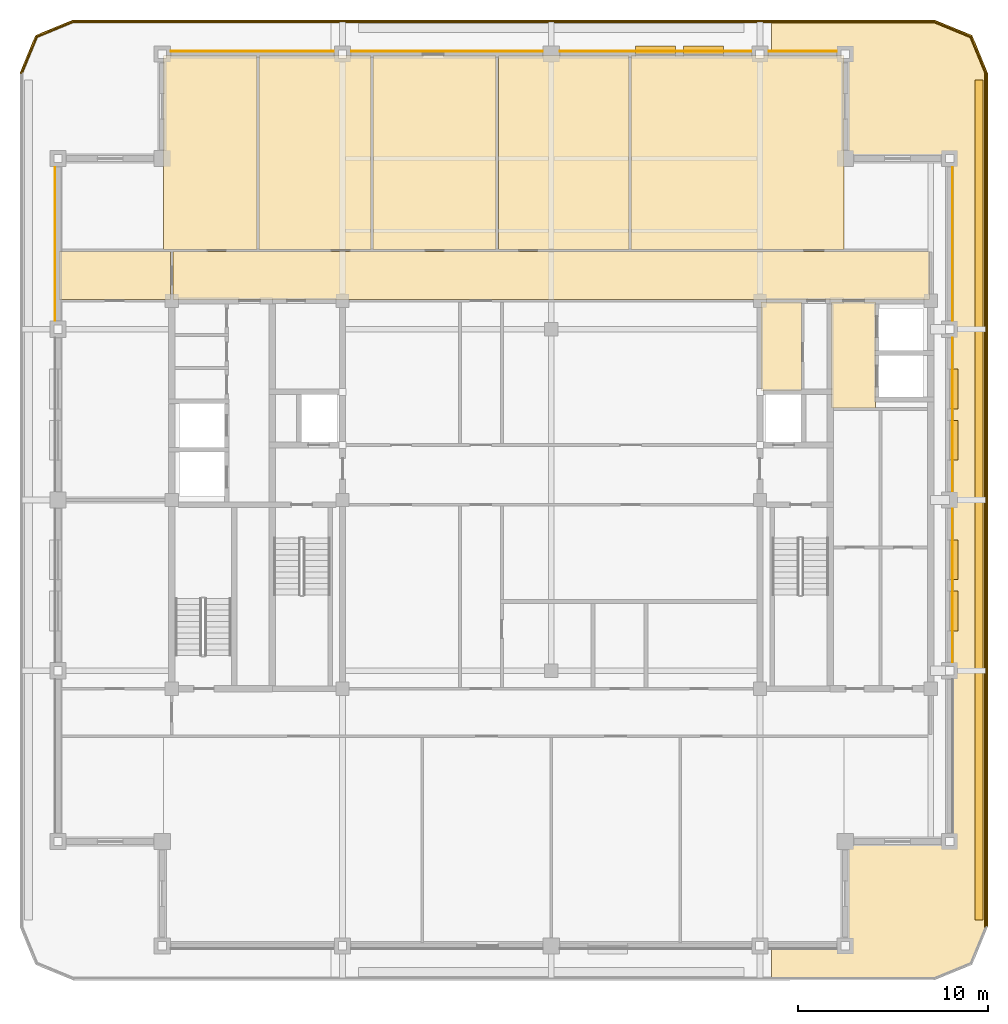
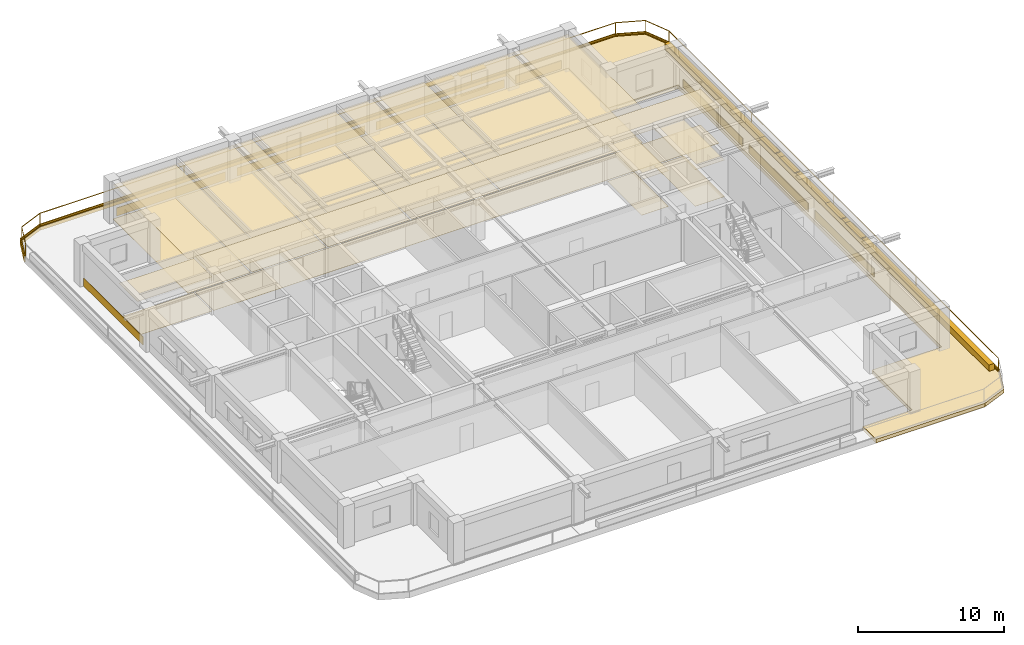
# One storey, part 11 of 11: 34 coverings, 6 shading devices, 2 railings.
"""IFC4 building model written with IfcOpenShell, lengths in metres."""

import ifcopenshell
import ifcopenshell.guid

model = None  # the IFC model being written
_history = None  # IfcOwnerHistory: only IFC2X3 demands one
_inside = {}  # id of a spatial element -> (the spatial element, [elements in it])
_under = {}  # id of a project, library or spatial element -> (it, [spatial elements below it])
_declared = {}  # id of a project -> (the project, [libraries it declares])
_typed = {}  # id of a type object -> (the type object, [elements of that type])
_made_of = {}  # id of a material, layer set ... -> (it, [elements and type objects made of it])


def new_model(schema):
    """Start an empty IFC model of exactly this schema.

    Asked for "IFC4X3", IfcOpenShell would pick the latest addendum, in which some entities
    have other attributes; the version numbers below select the first issue.
    IFC2X3 requires an IfcOwnerHistory on every rooted entity: one is made here for all.
    """
    global model, _history
    if schema == "IFC4X3":
        model = ifcopenshell.file(schema_version=(4, 3, 0, 0))
    else:
        model = ifcopenshell.file(schema=schema)
    _inside.clear()
    _under.clear()
    _declared.clear()
    _typed.clear()
    _made_of.clear()
    _history = None
    if model.schema == "IFC2X3":
        org = make("IfcOrganization", Name="unknown")
        user = make(
            "IfcPersonAndOrganization",
            ThePerson=make("IfcPerson", FamilyName="unknown"),
            TheOrganization=org,
        )
        app = make(
            "IfcApplication",
            ApplicationDeveloper=org,
            Version="unknown",
            ApplicationFullName="unknown",
            ApplicationIdentifier="unknown",
        )
        _history = make(
            "IfcOwnerHistory",
            OwningUser=user,
            OwningApplication=app,
            ChangeAction="ADDED",
            CreationDate=0,
        )
    return model


def make(cls, **values):
    """One entity of the class cls with the attributes given. An attribute that is None is left unset."""
    return model.create_entity(
        cls, **{name: value for name, value in values.items() if value is not None}
    )


def rooted(cls, **values):
    """An entity with a GlobalId (a new one), such as an element, a storey or a relation."""
    return make(cls, GlobalId=ifcopenshell.guid.new(), OwnerHistory=_history, **values)


def si_unit(unit_type, name, prefix=None):
    """IfcSIUnit, for example si_unit("LENGTHUNIT", "METRE", prefix="MILLI")."""
    return make("IfcSIUnit", UnitType=unit_type, Prefix=prefix, Name=name)


def assignment(units):
    """IfcUnitAssignment: the units of a project."""
    return None if units is None else make("IfcUnitAssignment", Units=units)


def point(xyz):
    """IfcCartesianPoint."""
    return None if xyz is None else make("IfcCartesianPoint", Coordinates=xyz)


def direction(xyz):
    """IfcDirection."""
    return None if xyz is None else make("IfcDirection", DirectionRatios=xyz)


def frame(location, z_axis=None, x_axis=None):
    """IfcAxis2Placement3D, a coordinate frame: its origin and axes. An axis left out is left unset."""
    return make(
        "IfcAxis2Placement3D",
        Location=point(location),
        Axis=direction(z_axis),
        RefDirection=direction(x_axis),
    )


def frame_2d(location, x_axis=None):
    """IfcAxis2Placement2D, a coordinate frame in the plane: its origin and x axis."""
    return make(
        "IfcAxis2Placement2D", Location=point(location), RefDirection=direction(x_axis)
    )


def origin():
    """The frame at (0, 0, 0) with its axes left unset."""
    return frame((0.0, 0.0, 0.0))


def origin_2d():
    """The frame at (0, 0) in the plane with its x axis left unset."""
    return frame_2d((0.0, 0.0))


def place(relative_to, where):
    """IfcLocalPlacement: puts the frame where relative to a parent placement (None: the world)."""
    return make(
        "IfcLocalPlacement", PlacementRelTo=relative_to, RelativePlacement=where
    )


def context(
    kind, dimensions, precision=None, world=None, true_north=None, identifier=None
):
    """IfcGeometricRepresentationContext, for example the 3D "Model" context."""
    return make(
        "IfcGeometricRepresentationContext",
        ContextIdentifier=identifier,
        ContextType=kind,
        CoordinateSpaceDimension=dimensions,
        Precision=precision,
        WorldCoordinateSystem=world,
        TrueNorth=true_north,
    )


def subcontext(parent, identifier, kind, view, scale=None):
    """IfcGeometricRepresentationSubContext, for example "Body" below "Model"."""
    return make(
        "IfcGeometricRepresentationSubContext",
        ContextIdentifier=identifier,
        ContextType=kind,
        ParentContext=parent,
        TargetScale=scale,
        TargetView=view,
    )


def project(units=None, contexts=None):
    """IfcProject with its units and contexts."""
    return rooted(
        "IfcProject",
        Name="project",
        RepresentationContexts=contexts,
        UnitsInContext=assignment(units),
    )


def spatial(cls, under=None, at=None, **own):
    """A site, building, storey or space (cls), placed at a placement, below another one or the project."""
    s = rooted(cls, ObjectPlacement=at, **own)
    if under is not None:
        _under.setdefault(under.id(), (under, []))[1].append(s)
    return s


def polyline(points):
    """IfcPolyline through the points."""
    return make("IfcPolyline", Points=[point(p) for p in points])


def profile(cls, at=None, kind="AREA", **sizes):
    """A parametric profile (cls). Its sizes go by their IFC names, for example OverallWidth=200.0."""
    return make(cls, ProfileType=kind, Position=at, **sizes)


def rectangle(**sizes):
    """IfcRectangleProfileDef."""
    return profile("IfcRectangleProfileDef", **sizes)


def outline(outer, holes=None, kind="AREA"):
    """IfcArbitraryClosedProfileDef: a profile drawn as a closed curve; with holes, ...WithVoids."""
    if holes is None:
        return make("IfcArbitraryClosedProfileDef", ProfileType=kind, OuterCurve=outer)
    return make(
        "IfcArbitraryProfileDefWithVoids",
        ProfileType=kind,
        OuterCurve=outer,
        InnerCurves=holes,
    )


def extrude(swept, where, along, depth):
    """IfcExtrudedAreaSolid: the profile swept, set in the frame where, extruded along a direction by depth."""
    return make(
        "IfcExtrudedAreaSolid",
        SweptArea=swept,
        Position=where,
        ExtrudedDirection=direction(along),
        Depth=depth,
    )


def shape(context_of_items, identifier, shape_type, items):
    """IfcShapeRepresentation: the items that make up one representation, for example the "Body"."""
    return make(
        "IfcShapeRepresentation",
        ContextOfItems=context_of_items,
        RepresentationIdentifier=identifier,
        RepresentationType=shape_type,
        Items=items,
    )


def material(Name=None, Category=None):
    """IfcMaterial."""
    return make("IfcMaterial", Name=Name, Category=Category)


def layer(
    of_material, thickness, ventilated=None, Name=None, Category=None, Priority=None
):
    """IfcMaterialLayer: one layer of a wall or slab, of a material (None: an air gap)."""
    return make(
        "IfcMaterialLayer",
        Material=of_material,
        LayerThickness=thickness,
        IsVentilated=ventilated,
        Name=Name,
        Category=Category,
        Priority=Priority,
    )


def layer_set(layers, Name=None):
    """IfcMaterialLayerSet."""
    return make("IfcMaterialLayerSet", MaterialLayers=layers, LayerSetName=Name)


def made_of(thing, what):
    """Note that an element or type object is made of a material, layer set ...; save() writes the relation."""
    if what is not None:
        _made_of.setdefault(what.id(), (what, []))[1].append(thing)
    return thing


def type_object(cls, material=None, **own):
    """A type object (cls), such as IfcWallType, which elements share."""
    return made_of(rooted(cls, **own), material)


def element(
    cls,
    number,
    at=None,
    inside=None,
    cuts=None,
    type_object=None,
    material=None,
    context=None,
    identifier="Body",
    shape_type=None,
    held_by="IfcProductDefinitionShape",
    body=None,
    shapes=None,
    **own,
):
    """One element of the class cls, such as IfcWall. Its Tag is "e" and its number.

    at: its placement. inside: the storey or other place that contains it. cuts: it is an
    opening in that element (IfcRelVoidsElement). A single representation is given by context,
    identifier, shape_type and body (its items); several are given by shapes. held_by: the class
    of the entity that holds the representations. save() writes the other relations.
    """
    e = rooted(cls, Tag="e%d" % number, ObjectPlacement=at, **own)
    if body is not None:
        shapes = [shape(context, identifier, shape_type, body)]
    if shapes is not None:
        e.Representation = make(held_by, Representations=shapes)
    if inside is not None:
        _inside.setdefault(inside.id(), (inside, []))[1].append(e)
    if cuts is not None:
        rooted(
            "IfcRelVoidsElement", RelatingBuildingElement=cuts, RelatedOpeningElement=e
        )
    if type_object is not None:
        _typed.setdefault(type_object.id(), (type_object, []))[1].append(e)
    return made_of(e, material)


def aggregate(whole, parts):
    """IfcRelAggregates: a whole, such as a stair, and the parts it consists of."""
    return rooted("IfcRelAggregates", RelatingObject=whole, RelatedObjects=parts)


def save(model, path):
    """Write the relations noted so far, then the file.

    IfcRelAggregates (storeys below a building ...), IfcRelContainedInSpatialStructure (elements
    in a storey), IfcRelDefinesByType, IfcRelAssociatesMaterial and IfcRelDeclares: one each for
    every whole, place, type object, material and project.
    """
    for whole, parts in _under.values():
        aggregate(whole, parts)
    for where, things in _inside.values():
        rooted(
            "IfcRelContainedInSpatialStructure",
            RelatedElements=things,
            RelatingStructure=where,
        )
    for kind, things in _typed.values():
        rooted("IfcRelDefinesByType", RelatedObjects=things, RelatingType=kind)
    for what, things in _made_of.values():
        rooted("IfcRelAssociatesMaterial", RelatedObjects=things, RelatingMaterial=what)
    for by, libraries in _declared.values():
        rooted("IfcRelDeclares", RelatingContext=by, RelatedDefinitions=libraries)
    model.write(path)


model = new_model("IFC4")

# Units and contexts
model_context = context("Model", 3, precision=1e-05, world=origin(), true_north=direction((0.0, 1.0)))
body_context = subcontext(model_context, "Body", "Model", "MODEL_VIEW")
ifc_project = project(units=[si_unit("LENGTHUNIT", "METRE"), si_unit("AREAUNIT", "SQUARE_METRE"), si_unit("VOLUMEUNIT", "CUBIC_METRE"), si_unit("PLANEANGLEUNIT", "RADIAN"), si_unit("MASSUNIT", "GRAM", prefix="KILO")], contexts=[model_context])

# Site, building, storey
site_placement = place(None, origin())
site = spatial("IfcSite", under=ifc_project, at=site_placement, CompositionType="ELEMENT")
building_placement = place(site_placement, origin())
building = spatial("IfcBuilding", under=site, at=building_placement, Name="Zulmaris Gate Convention Tower", CompositionType="ELEMENT")
storey_placement = place(building_placement, frame((0.0, 0.0, 270.580078125)))
storey = spatial("IfcBuildingStorey", under=building, at=storey_placement, Name="L72", CompositionType="ELEMENT", Elevation=270.580078125)

# Coverings
ifc_material_1 = material(Name="Precast concrete C40/50", Category="concrete")
ifc_layer_1 = layer(ifc_material_1, 0.0400390625, Name="Precast concrete C40/50")
ifc_layer_set_1 = layer_set([ifc_layer_1], Name="Precast concrete C40/50")
covering_type_1 = type_object("IfcCoveringType", Name="CLAD-SPANDREL-PRECAST", PredefinedType="CLADDING", material=ifc_layer_set_1)
covering_1_placement = place(storey_placement, frame((-11.455078125, 23.64990234375, 0.0), z_axis=(0.0, 0.0, 1.0), x_axis=(-1.0, 0.0, 0.0)))
element("IfcCovering", 1, at=covering_1_placement, inside=storey, type_object=covering_type_1, Name="CLD-L72-N-0_0", PredefinedType="CLADDING", context=body_context, shape_type="SweptSolid", body=[
    extrude(rectangle(XDim=8.58984375, YDim=0.0400390625, at=frame_2d((4.294921875, 0.0))), origin(), (0.0, 0.0, 1.0), 0.679931640625),
])
for number, where, z_axis, x_axis, name in (
    (2, (-0.455078125, 23.64990234375, 0.0), (0.0, 0.0, 1.0), (-1.0, 0.0, 0.0), "CLD-L72-N-1_0"),
    (3, (10.544921875, 23.64990234375, 0.0), (0.0, 0.0, 1.0), (-1.0, 0.0, 0.0), "CLD-L72-N-2_0"),
):
    element("IfcCovering", number, at=place(storey_placement, frame(where, z_axis=z_axis, x_axis=x_axis)), inside=storey, type_object=covering_type_1, Name=name, PredefinedType="CLADDING", context=body_context, shape_type="SweptSolid", body=[
        extrude(rectangle(XDim=10.08984375, YDim=0.0400390625, at=frame_2d((5.044921875, 0.0))), origin(), (0.0, 0.0, 1.0), 0.679931640625),
    ])
covering_2_placement = place(storey_placement, frame((15.044921875, 23.64990234375, 0.0), z_axis=(0.0, 0.0, 1.0), x_axis=(-1.0, 0.0, 0.0)))
element("IfcCovering", 4, at=covering_2_placement, inside=storey, type_object=covering_type_1, Name="CLD-L72-N-3_0", PredefinedType="CLADDING", context=body_context, shape_type="SweptSolid", body=[
    extrude(rectangle(XDim=3.58984375, YDim=0.0400390625, at=frame_2d((1.794921875, 0.0))), origin(), (0.0, 0.0, 1.0), 0.679931640625),
])
for number, where, z_axis, x_axis, name in (
    (5, (21.14990234375, -8.544921875, 0.0), (0.0, 0.0, 1.0), (0.0, 1.0, 0.0), "CLD-L72-E-1_0"),
    (6, (21.14990234375, 0.455078125, 0.0), (0.0, 0.0, 1.0), (0.0, 1.0, 0.0), "CLD-L72-E-2_0"),
    (7, (21.14990234375, 9.455078125, 0.0), (0.0, 0.0, 1.0), (0.0, 1.0, 0.0), "CLD-L72-E-3_0"),
    (8, (-26.14990234375, 17.544921875, 0.0), (0.0, 0.0, 1.0), (0.0, -1.0, 0.0), "CLD-L72-W-3_0"),
):
    element("IfcCovering", number, at=place(storey_placement, frame(where, z_axis=z_axis, x_axis=x_axis)), inside=storey, type_object=covering_type_1, Name=name, PredefinedType="CLADDING", context=body_context, shape_type="SweptSolid", body=[
        extrude(rectangle(XDim=8.08984375, YDim=0.0400390625, at=frame_2d((4.044921875, 0.0))), origin(), (0.0, 0.0, 1.0), 0.679931640625),
    ])
ifc_material_2 = material(Name="White Glazed Architectural Precast Concrete C40/50", Category="concrete")
ifc_layer_2 = layer(ifc_material_2, 0.239990234375, Name="White Glazed Architectural Precast Concrete C40/50")
ifc_layer_set_2 = layer_set([ifc_layer_2], Name="White Glazed Architectural Precast Concrete C40/50")
covering_type_2 = type_object("IfcCoveringType", Name="CLAD-TRAY-DECK", PredefinedType="CLADDING", material=ifc_layer_set_2)
covering_3_placement = place(storey_placement, frame((0.0, 0.0, -0.324951171875)))
element("IfcCovering", 9, at=covering_3_placement, inside=storey, type_object=covering_type_2, Name="L72 East Rounded-Fascia Planter Tray Deck", PredefinedType="CLADDING", context=body_context, shape_type="SweptSolid", body=[
    extrude(outline(polyline([(20.199951171875, 25.300048828125), (22.179931640625, 24.47998046875), (23.0, 22.5), (23.0, -22.5), (22.179931640625, -24.47998046875), (20.199951171875, -25.300048828125), (11.60205078125, -25.300048828125), (11.60205078125, -23.5), (15.5, -23.5), (15.5, -18.0), (21.0, -18.0), (21.0, 18.0), (15.5, 18.0), (15.5, 23.5), (11.60205078125, 23.5), (11.60205078125, 25.300048828125), (20.199951171875, 25.300048828125)])), origin(), (0.0, 0.0, 1.0), 0.300048828125),
])
ifc_layer_3 = layer(ifc_material_2, 0.080078125, Name="White Glazed Architectural Precast Concrete C40/50")
ifc_layer_set_3 = layer_set([ifc_layer_3], Name="White Glazed Architectural Precast Concrete C40/50")
covering_type_3 = type_object("IfcCoveringType", Name="CLAD-TRAY-FASCIA", PredefinedType="CLADDING", material=ifc_layer_set_3)
covering_4_placement = place(storey_placement, frame((22.9599609375, -22.5, -0.364990234375), z_axis=(0.0, 0.0, 1.0), x_axis=(0.0, 1.0, 0.0)))
element("IfcCovering", 10, at=covering_4_placement, inside=storey, type_object=covering_type_3, Name="FSC-L72-TR-05", PredefinedType="CLADDING", context=body_context, shape_type="SweptSolid", body=[
    extrude(rectangle(XDim=45.0, YDim=0.080078125, at=frame_2d((22.5, 0.0))), origin(), (0.0, 0.0, 1.0), 0.5),
])
covering_5_placement = place(storey_placement, frame((22.962890625, 22.484619140625, -0.364990234375), z_axis=(0.0, 0.0, 1.0), x_axis=(-0.382656984709, 0.923890487046, 0.0)))
element("IfcCovering", 11, at=covering_5_placement, inside=storey, type_object=covering_type_3, Name="FSC-L72-TR-06", PredefinedType="CLADDING", context=body_context, shape_type="SweptSolid", body=[
    extrude(rectangle(XDim=2.14306640625, YDim=0.080078125, at=frame_2d((1.071533203125, 0.0))), origin(), (0.0, 0.0, 1.0), 0.5),
])
covering_6_placement = place(storey_placement, frame((22.16455078125, 24.44287109375, -0.364990234375), z_axis=(0.0, 0.0, 1.0), x_axis=(-0.923873803533, 0.382697263049, 0.0)))
element("IfcCovering", 12, at=covering_6_placement, inside=storey, type_object=covering_type_3, Name="FSC-L72-TR-07", PredefinedType="CLADDING", context=body_context, shape_type="SweptSolid", body=[
    extrude(rectangle(XDim=2.142822265625, YDim=0.080078125, at=frame_2d((1.0712890625, 0.0))), origin(), (0.0, 0.0, 1.0), 0.5),
])
covering_7_placement = place(storey_placement, frame((20.199951171875, 25.260009765625, -0.364990234375), z_axis=(0.0, 0.0, 1.0), x_axis=(-1.0, 0.0, 0.0)))
element("IfcCovering", 13, at=covering_7_placement, inside=storey, type_object=covering_type_3, Name="FSC-L72-TR-08", PredefinedType="CLADDING", context=body_context, shape_type="SweptSolid", body=[
    extrude(rectangle(XDim=45.39990234375, YDim=0.080078125, at=frame_2d((22.699951171875, 0.0))), origin(), (0.0, 0.0, 1.0), 0.5),
])
covering_8_placement = place(storey_placement, frame((-25.184814453125, 25.262939453125, -0.364990234375), z_axis=(0.0, 0.0, 1.0), x_axis=(-0.923873803533, -0.382697263049, 0.0)))
element("IfcCovering", 14, at=covering_8_placement, inside=storey, type_object=covering_type_3, Name="FSC-L72-TR-09", PredefinedType="CLADDING", context=body_context, shape_type="SweptSolid", body=[
    extrude(rectangle(XDim=2.142822265625, YDim=0.080078125, at=frame_2d((1.0712890625, 0.0))), origin(), (0.0, 0.0, 1.0), 0.5),
])
covering_9_placement = place(storey_placement, frame((-27.142822265625, 24.464599609375, -0.364990234375), z_axis=(0.0, 0.0, 1.0), x_axis=(-0.382656984709, -0.923890487046, 0.0)))
element("IfcCovering", 15, at=covering_9_placement, inside=storey, type_object=covering_type_3, Name="FSC-L72-TR-10", PredefinedType="CLADDING", context=body_context, shape_type="SweptSolid", body=[
    extrude(rectangle(XDim=2.14306640625, YDim=0.080078125, at=frame_2d((1.071533203125, 0.0))), origin(), (0.0, 0.0, 1.0), 0.5),
])
ifc_material_3 = material(Name="Mineral Fibre Acoustic Ceiling Tile")
ifc_layer_4 = layer(ifc_material_3, 0.02001953125, Name="Mineral Fibre Acoustic Ceiling Tile")
ifc_layer_set_4 = layer_set([ifc_layer_4], Name="Mineral Fibre Acoustic Ceiling Tile")
covering_type_4 = type_object("IfcCoveringType", Name="CLG-ACOUSTIC-600", PredefinedType="CEILING", material=ifc_layer_set_4)
covering_10_placement = place(storey_placement, frame((0.0, 0.0, 2.972900390625)))
element("IfcCovering", 16, at=covering_10_placement, inside=storey, type_object=covering_type_4, Name="CLG-L72-R12", PredefinedType="CEILING", context=body_context, shape_type="SweptSolid", body=[
    extrude(outline(polyline([(11.06005859375, 5.760009765625), (13.18994140625, 5.760009765625), (13.18994140625, 10.43994140625), (11.06005859375, 10.43994140625), (11.06005859375, 5.760009765625)])), origin(), (0.0, 0.0, 1.0), 0.02001953125),
])
covering_11_placement = place(storey_placement, frame((0.0, 0.0, 3.048095703125)))
element("IfcCovering", 17, at=covering_11_placement, inside=storey, type_object=covering_type_4, Name="CLG-L72-R24", PredefinedType="CEILING", context=body_context, shape_type="SweptSolid", body=[
    extrude(outline(polyline([(14.760009765625, 4.860107421875), (17.090087890625, 4.860107421875), (17.090087890625, 10.43994140625), (14.760009765625, 10.43994140625), (14.760009765625, 4.860107421875)])), origin(), (0.0, 0.0, 1.0), 0.02001953125),
])
covering_12_placement = place(storey_placement, frame((0.0, 0.0, 2.972900390625)))
element("IfcCovering", 18, at=covering_12_placement, inside=storey, type_object=covering_type_4, Name="CLG-L72-R31", PredefinedType="CEILING", context=body_context, shape_type="SweptSolid", body=[
    extrude(outline(polyline([(-19.93994140625, 10.56005859375), (19.93994140625, 10.56005859375), (19.93994140625, 13.090087890625), (-19.93994140625, 13.090087890625), (-19.93994140625, 10.56005859375)])), origin(), (0.0, 0.0, 1.0), 0.02001953125),
])
covering_13_placement = place(storey_placement, frame((0.0, 0.0, 2.85009765625)))
element("IfcCovering", 19, at=covering_13_placement, inside=storey, type_object=covering_type_4, Name="CLG-L72-R36", PredefinedType="CEILING", context=body_context, shape_type="SweptSolid", body=[
    extrude(outline(polyline([(-20.43994140625, 13.2099609375), (-15.510009765625, 13.2099609375), (-15.510009765625, 23.43994140625), (-20.43994140625, 23.43994140625), (-20.43994140625, 13.2099609375)])), origin(), (0.0, 0.0, 1.0), 0.02001953125),
])
covering_14_placement = place(storey_placement, frame((0.0, 0.0, 2.85009765625)))
element("IfcCovering", 20, at=covering_14_placement, inside=storey, type_object=covering_type_4, Name="CLG-L72-R37", PredefinedType="CEILING", context=body_context, shape_type="SweptSolid", body=[
    extrude(outline(polyline([(-15.389892578125, 13.2099609375), (-9.510009765625, 13.2099609375), (-9.510009765625, 23.43994140625), (-15.389892578125, 23.43994140625), (-15.389892578125, 13.2099609375)])), origin(), (0.0, 0.0, 1.0), 0.02001953125),
])
covering_15_placement = place(storey_placement, frame((0.0, 0.0, 2.85009765625)))
element("IfcCovering", 21, at=covering_15_placement, inside=storey, type_object=covering_type_4, Name="CLG-L72-R38", PredefinedType="CEILING", context=body_context, shape_type="SweptSolid", body=[
    extrude(outline(polyline([(-9.389892578125, 13.2099609375), (-2.909912109375, 13.2099609375), (-2.909912109375, 23.43994140625), (-9.389892578125, 23.43994140625), (-9.389892578125, 13.2099609375)])), origin(), (0.0, 0.0, 1.0), 0.02001953125),
])
covering_16_placement = place(storey_placement, frame((0.0, 0.0, 2.85009765625)))
element("IfcCovering", 22, at=covering_16_placement, inside=storey, type_object=covering_type_4, Name="CLG-L72-R39", PredefinedType="CEILING", context=body_context, shape_type="SweptSolid", body=[
    extrude(outline(polyline([(-2.7900390625, 13.2099609375), (4.090087890625, 13.2099609375), (4.090087890625, 23.43994140625), (-2.7900390625, 23.43994140625), (-2.7900390625, 13.2099609375)])), origin(), (0.0, 0.0, 1.0), 0.02001953125),
])
covering_17_placement = place(storey_placement, frame((0.0, 0.0, 2.85009765625)))
element("IfcCovering", 23, at=covering_17_placement, inside=storey, type_object=covering_type_4, Name="CLG-L72-R40", PredefinedType="CEILING", context=body_context, shape_type="SweptSolid", body=[
    extrude(outline(polyline([(4.2099609375, 13.2099609375), (15.43994140625, 13.2099609375), (15.43994140625, 23.43994140625), (4.2099609375, 23.43994140625), (4.2099609375, 13.2099609375)])), origin(), (0.0, 0.0, 1.0), 0.02001953125),
])
covering_18_placement = place(storey_placement, frame((0.0, 0.0, 2.85009765625)))
element("IfcCovering", 24, at=covering_18_placement, inside=storey, type_object=covering_type_4, Name="CLG-L72-R52", PredefinedType="CEILING", context=body_context, shape_type="SweptSolid", body=[
    extrude(outline(polyline([(-25.93994140625, 10.56005859375), (-20.06005859375, 10.56005859375), (-20.06005859375, 13.090087890625), (-25.93994140625, 13.090087890625), (-25.93994140625, 10.56005859375)])), origin(), (0.0, 0.0, 1.0), 0.02001953125),
])
ifc_material_4 = material(Name="Woven Acoustic Wool Carpet Tile")
ifc_layer_5 = layer(ifc_material_4, 0.02001953125, Name="Woven Acoustic Wool Carpet Tile")
ifc_layer_set_5 = layer_set([ifc_layer_5], Name="Woven Acoustic Wool Carpet Tile")
covering_type_5 = type_object("IfcCoveringType", Name="FLR-CARPET-12", PredefinedType="FLOORING", material=ifc_layer_set_5)
covering_19_placement = place(storey_placement, origin())
element("IfcCovering", 25, at=covering_19_placement, inside=storey, type_object=covering_type_5, Name="FLR-L72-R12", PredefinedType="FLOORING", context=body_context, shape_type="SweptSolid", body=[
    extrude(outline(polyline([(11.06005859375, 5.760009765625), (13.18994140625, 5.760009765625), (13.18994140625, 10.43994140625), (11.06005859375, 10.43994140625), (11.06005859375, 5.760009765625)])), origin(), (0.0, 0.0, 1.0), 0.02001953125),
])
covering_20_placement = place(storey_placement, origin())
element("IfcCovering", 26, at=covering_20_placement, inside=storey, type_object=covering_type_5, Name="FLR-L72-R24", PredefinedType="FLOORING", context=body_context, shape_type="SweptSolid", body=[
    extrude(outline(polyline([(14.760009765625, 4.860107421875), (17.090087890625, 4.860107421875), (17.090087890625, 10.43994140625), (14.760009765625, 10.43994140625), (14.760009765625, 4.860107421875)])), origin(), (0.0, 0.0, 1.0), 0.02001953125),
])
covering_21_placement = place(storey_placement, origin())
element("IfcCovering", 27, at=covering_21_placement, inside=storey, type_object=covering_type_5, Name="FLR-L72-R31", PredefinedType="FLOORING", context=body_context, shape_type="SweptSolid", body=[
    extrude(outline(polyline([(-19.93994140625, 10.56005859375), (19.93994140625, 10.56005859375), (19.93994140625, 13.090087890625), (-19.93994140625, 13.090087890625), (-19.93994140625, 10.56005859375)])), origin(), (0.0, 0.0, 1.0), 0.02001953125),
])
covering_22_placement = place(storey_placement, origin())
element("IfcCovering", 28, at=covering_22_placement, inside=storey, type_object=covering_type_5, Name="FLR-L72-R36", PredefinedType="FLOORING", context=body_context, shape_type="SweptSolid", body=[
    extrude(outline(polyline([(-20.43994140625, 13.2099609375), (-15.510009765625, 13.2099609375), (-15.510009765625, 23.43994140625), (-20.43994140625, 23.43994140625), (-20.43994140625, 13.2099609375)])), origin(), (0.0, 0.0, 1.0), 0.02001953125),
])
covering_23_placement = place(storey_placement, origin())
element("IfcCovering", 29, at=covering_23_placement, inside=storey, type_object=covering_type_5, Name="FLR-L72-R37", PredefinedType="FLOORING", context=body_context, shape_type="SweptSolid", body=[
    extrude(outline(polyline([(-15.389892578125, 13.2099609375), (-9.510009765625, 13.2099609375), (-9.510009765625, 23.43994140625), (-15.389892578125, 23.43994140625), (-15.389892578125, 13.2099609375)])), origin(), (0.0, 0.0, 1.0), 0.02001953125),
])
covering_24_placement = place(storey_placement, origin())
element("IfcCovering", 30, at=covering_24_placement, inside=storey, type_object=covering_type_5, Name="FLR-L72-R38", PredefinedType="FLOORING", context=body_context, shape_type="SweptSolid", body=[
    extrude(outline(polyline([(-9.389892578125, 13.2099609375), (-2.909912109375, 13.2099609375), (-2.909912109375, 23.43994140625), (-9.389892578125, 23.43994140625), (-9.389892578125, 13.2099609375)])), origin(), (0.0, 0.0, 1.0), 0.02001953125),
])
covering_25_placement = place(storey_placement, origin())
element("IfcCovering", 31, at=covering_25_placement, inside=storey, type_object=covering_type_5, Name="FLR-L72-R39", PredefinedType="FLOORING", context=body_context, shape_type="SweptSolid", body=[
    extrude(outline(polyline([(-2.7900390625, 13.2099609375), (4.090087890625, 13.2099609375), (4.090087890625, 23.43994140625), (-2.7900390625, 23.43994140625), (-2.7900390625, 13.2099609375)])), origin(), (0.0, 0.0, 1.0), 0.02001953125),
])
covering_26_placement = place(storey_placement, origin())
element("IfcCovering", 32, at=covering_26_placement, inside=storey, type_object=covering_type_5, Name="FLR-L72-R40", PredefinedType="FLOORING", context=body_context, shape_type="SweptSolid", body=[
    extrude(outline(polyline([(4.2099609375, 13.2099609375), (15.43994140625, 13.2099609375), (15.43994140625, 23.43994140625), (4.2099609375, 23.43994140625), (4.2099609375, 13.2099609375)])), origin(), (0.0, 0.0, 1.0), 0.02001953125),
])
covering_27_placement = place(storey_placement, origin())
element("IfcCovering", 33, at=covering_27_placement, inside=storey, type_object=covering_type_5, Name="FLR-L72-R52", PredefinedType="FLOORING", context=body_context, shape_type="SweptSolid", body=[
    extrude(outline(polyline([(-25.93994140625, 10.56005859375), (-20.06005859375, 10.56005859375), (-20.06005859375, 13.090087890625), (-25.93994140625, 13.090087890625), (-25.93994140625, 10.56005859375)])), origin(), (0.0, 0.0, 1.0), 0.02001953125),
])
ifc_material_5 = material(Name="Botanical Green Glazed Precast Concrete C40/50", Category="concrete")
ifc_layer_6 = layer(ifc_material_5, 0.419921875, Name="Botanical Green Glazed Precast Concrete C40/50")
ifc_layer_set_6 = layer_set([ifc_layer_6], Name="Botanical Green Glazed Precast Concrete C40/50")
covering_type_6 = type_object("IfcCoveringType", Name="PLANTER-BOX-200", PredefinedType="CLADDING", material=ifc_layer_set_6)
covering_28_placement = place(storey_placement, frame((0.0, 0.0, -0.02490234375)))
element("IfcCovering", 34, at=covering_28_placement, inside=storey, type_object=covering_type_6, Name="L72 E Full-Length Balcony Tree Planter Trough", PredefinedType="CLADDING", context=body_context, shape_type="SweptSolid", body=[
    extrude(outline(polyline([(22.340087890625, -22.14990234375), (22.760009765625, -22.14990234375), (22.760009765625, 22.14990234375), (22.340087890625, 22.14990234375), (22.340087890625, -22.14990234375)])), origin(), (0.0, 0.0, 1.0), 0.52001953125),
])

# Railings
ifc_material_6 = material(Name="Laminated Glass and Stainless Steel", Category="steel")
railing_type = type_object("IfcRailingType", Name="RL-BALC-1150", PredefinedType="BALUSTRADE", material=ifc_material_6)
railing_1_placement = place(storey_placement, frame((22.8798828125, -22.5, -0.02490234375)))
element("IfcRailing", 35, at=railing_1_placement, inside=storey, type_object=railing_type, Name="RL-L72-BALC-E", PredefinedType="BALUSTRADE", context=body_context, shape_type="SweptSolid", body=[
    extrude(rectangle(XDim=0.048095703125, YDim=0.048095703125, at=origin_2d()), frame((0.0, 0.0, 1.1259765625), z_axis=(0.0, 1.0, 0.0), x_axis=(-1.0, 0.0, 0.0)), (0.0, 0.0, 1.0), 45.0),
    extrude(rectangle(XDim=0.048095703125, YDim=0.048095703125, at=origin_2d()), frame((0.0, 0.0, 0.02392578125), z_axis=(0.0, 1.0, 0.0), x_axis=(-1.0, 0.0, 0.0)), (0.0, 0.0, 1.0), 45.0),
    extrude(rectangle(XDim=0.0419921875, YDim=0.0419921875, at=origin_2d()), origin(), (0.0, 0.0, 1.0), 1.101806640625),
    extrude(rectangle(XDim=0.0419921875, YDim=0.0419921875, at=origin_2d()), frame((0.0, 11.25, 0.0)), (0.0, 0.0, 1.0), 1.101806640625),
    extrude(rectangle(XDim=0.0419921875, YDim=0.0419921875, at=origin_2d()), frame((0.0, 22.5, 0.0)), (0.0, 0.0, 1.0), 1.101806640625),
    extrude(rectangle(XDim=0.0419921875, YDim=0.0419921875, at=origin_2d()), frame((0.0, 33.75, 0.0)), (0.0, 0.0, 1.0), 1.101806640625),
    extrude(rectangle(XDim=0.0419921875, YDim=0.0419921875, at=origin_2d()), frame((0.0, 45.0, 0.0)), (0.0, 0.0, 1.0), 1.101806640625),
])
railing_2_placement = place(storey_placement, frame((22.8798828125, 22.5, -0.02490234375)))
element("IfcRailing", 36, at=railing_2_placement, inside=storey, type_object=railing_type, Name="RL-L72-BALC-N", PredefinedType="BALUSTRADE", context=body_context, shape_type="SweptSolid", body=[
    extrude(rectangle(XDim=0.048095703125, YDim=0.048095703125, at=origin_2d()), frame((0.0, 0.0, 1.1259765625), z_axis=(-0.382670664694, 0.92388482095, 0.0), x_axis=(-0.92388482095, -0.382670664694, 0.0)), (0.0, 0.0, 1.0), 2.051025390625),
    extrude(rectangle(XDim=0.048095703125, YDim=0.048095703125, at=origin_2d()), frame((0.0, 0.0, 0.02392578125), z_axis=(-0.382670664694, 0.92388482095, 0.0), x_axis=(-0.92388482095, -0.382670664694, 0.0)), (0.0, 0.0, 1.0), 2.051025390625),
    extrude(rectangle(XDim=0.048095703125, YDim=0.048095703125, at=origin_2d()), frame((-0.784912109375, 1.89501953125, 1.1259765625), z_axis=(-0.92388482095, 0.382670664694, 0.0), x_axis=(-0.382670664694, -0.92388482095, 0.0)), (0.0, 0.0, 1.0), 2.051025390625),
    extrude(rectangle(XDim=0.048095703125, YDim=0.048095703125, at=origin_2d()), frame((-0.784912109375, 1.89501953125, 0.02392578125), z_axis=(-0.92388482095, 0.382670664694, 0.0), x_axis=(-0.382670664694, -0.92388482095, 0.0)), (0.0, 0.0, 1.0), 2.051025390625),
    extrude(rectangle(XDim=0.048095703125, YDim=0.048095703125, at=origin_2d()), frame((-2.679931640625, 2.679931640625, 1.1259765625), z_axis=(-1.0, 0.0, 0.0), x_axis=(0.0, -1.0, 0.0)), (0.0, 0.0, 1.0), 45.39990234375),
    extrude(rectangle(XDim=0.048095703125, YDim=0.048095703125, at=origin_2d()), frame((-2.679931640625, 2.679931640625, 0.02392578125), z_axis=(-1.0, 0.0, 0.0), x_axis=(0.0, -1.0, 0.0)), (0.0, 0.0, 1.0), 45.39990234375),
    extrude(rectangle(XDim=0.048095703125, YDim=0.048095703125, at=origin_2d()), frame((-48.079833984375, 2.679931640625, 1.1259765625), z_axis=(-0.92388482095, -0.382670664694, 0.0), x_axis=(0.382670664694, -0.92388482095, 0.0)), (0.0, 0.0, 1.0), 2.051025390625),
    extrude(rectangle(XDim=0.048095703125, YDim=0.048095703125, at=origin_2d()), frame((-48.079833984375, 2.679931640625, 0.02392578125), z_axis=(-0.92388482095, -0.382670664694, 0.0), x_axis=(0.382670664694, -0.92388482095, 0.0)), (0.0, 0.0, 1.0), 2.051025390625),
    extrude(rectangle(XDim=0.048095703125, YDim=0.048095703125, at=origin_2d()), frame((-49.974853515625, 1.89501953125, 1.1259765625), z_axis=(-0.382670664694, -0.92388482095, 0.0), x_axis=(0.92388482095, -0.382670664694, 0.0)), (0.0, 0.0, 1.0), 2.051025390625),
    extrude(rectangle(XDim=0.048095703125, YDim=0.048095703125, at=origin_2d()), frame((-49.974853515625, 1.89501953125, 0.02392578125), z_axis=(-0.382670664694, -0.92388482095, 0.0), x_axis=(0.92388482095, -0.382670664694, 0.0)), (0.0, 0.0, 1.0), 2.051025390625),
    extrude(rectangle(XDim=0.0419921875, YDim=0.0419921875, at=origin_2d()), origin(), (0.0, 0.0, 1.0), 1.101806640625),
    extrude(rectangle(XDim=0.0419921875, YDim=0.0419921875, at=origin_2d()), frame((-0.784912109375, 1.89501953125, 0.0)), (0.0, 0.0, 1.0), 1.101806640625),
    extrude(rectangle(XDim=0.0419921875, YDim=0.0419921875, at=origin_2d()), frame((-2.679931640625, 2.679931640625, 0.0)), (0.0, 0.0, 1.0), 1.101806640625),
    extrude(rectangle(XDim=0.0419921875, YDim=0.0419921875, at=origin_2d()), frame((-14.02978515625, 2.679931640625, 0.0)), (0.0, 0.0, 1.0), 1.101806640625),
    extrude(rectangle(XDim=0.0419921875, YDim=0.0419921875, at=origin_2d()), frame((-25.3798828125, 2.679931640625, 0.0)), (0.0, 0.0, 1.0), 1.101806640625),
    extrude(rectangle(XDim=0.0419921875, YDim=0.0419921875, at=origin_2d()), frame((-36.72998046875, 2.679931640625, 0.0)), (0.0, 0.0, 1.0), 1.101806640625),
    extrude(rectangle(XDim=0.0419921875, YDim=0.0419921875, at=origin_2d()), frame((-48.079833984375, 2.679931640625, 0.0)), (0.0, 0.0, 1.0), 1.101806640625),
    extrude(rectangle(XDim=0.0419921875, YDim=0.0419921875, at=origin_2d()), frame((-49.974853515625, 1.89501953125, 0.0)), (0.0, 0.0, 1.0), 1.101806640625),
    extrude(rectangle(XDim=0.0419921875, YDim=0.0419921875, at=origin_2d()), frame((-50.759765625, 0.0, 0.0)), (0.0, 0.0, 1.0), 1.101806640625),
])

# Shading devices
ifc_material_7 = material(Name="Glazed Ceramic Terracotta", Category="masonry")
ifc_layer_7 = layer(ifc_material_7, 0.070068359375, Name="Glazed Ceramic Terracotta")
ifc_layer_set_7 = layer_set([ifc_layer_7], Name="Glazed Ceramic Terracotta")
shading_device_type = type_object("IfcShadingDeviceType", Name="SHD-SUNSHADE-TC", PredefinedType="AWNING", material=ifc_layer_set_7)
for number, where, z_axis, x_axis, name in (
    (37, (9.072998046875, 23.719970703125, 2.22998046875), (0.0, 0.0, 1.0), (-1.0, 0.0, 0.0), "SHD-EW-L72-N-2_0-1"),
    (38, (6.550048828125, 23.719970703125, 2.22998046875), (0.0, 0.0, 1.0), (-1.0, 0.0, 0.0), "SHD-EW-L72-N-2_0-2"),
):
    element("IfcShadingDevice", number, at=place(storey_placement, frame(where, z_axis=z_axis, x_axis=x_axis)), inside=storey, type_object=shading_device_type, Name=name, PredefinedType="AWNING", context=body_context, shape_type="SweptSolid", body=[
        extrude(rectangle(XDim=2.10009765625, YDim=0.43994140625, at=frame_2d((1.050048828125, 0.0))), origin(), (0.0, 0.0, 1.0), 0.070068359375),
    ])
for number, where, z_axis, x_axis, name in (
    (39, (21.219970703125, -6.89794921875, 2.22998046875), (0.0, 0.0, 1.0), (0.0, 1.0, 0.0), "SHD-EW-L72-E-1_0-1"),
    (40, (21.219970703125, -4.201904296875, 2.22998046875), (0.0, 0.0, 1.0), (0.0, 1.0, 0.0), "SHD-EW-L72-E-1_0-2"),
    (41, (21.219970703125, 2.10205078125, 2.22998046875), (0.0, 0.0, 1.0), (0.0, 1.0, 0.0), "SHD-EW-L72-E-2_0-1"),
    (42, (21.219970703125, 4.798095703125, 2.22998046875), (0.0, 0.0, 1.0), (0.0, 1.0, 0.0), "SHD-EW-L72-E-2_0-2"),
):
    element("IfcShadingDevice", number, at=place(storey_placement, frame(where, z_axis=z_axis, x_axis=x_axis)), inside=storey, type_object=shading_device_type, Name=name, PredefinedType="AWNING", context=body_context, shape_type="SweptSolid", body=[
        extrude(rectangle(XDim=2.099853515625, YDim=0.43994140625, at=frame_2d((1.0498046875, 0.0))), origin(), (0.0, 0.0, 1.0), 0.070068359375),
    ])

save(model, "model.ifc")
